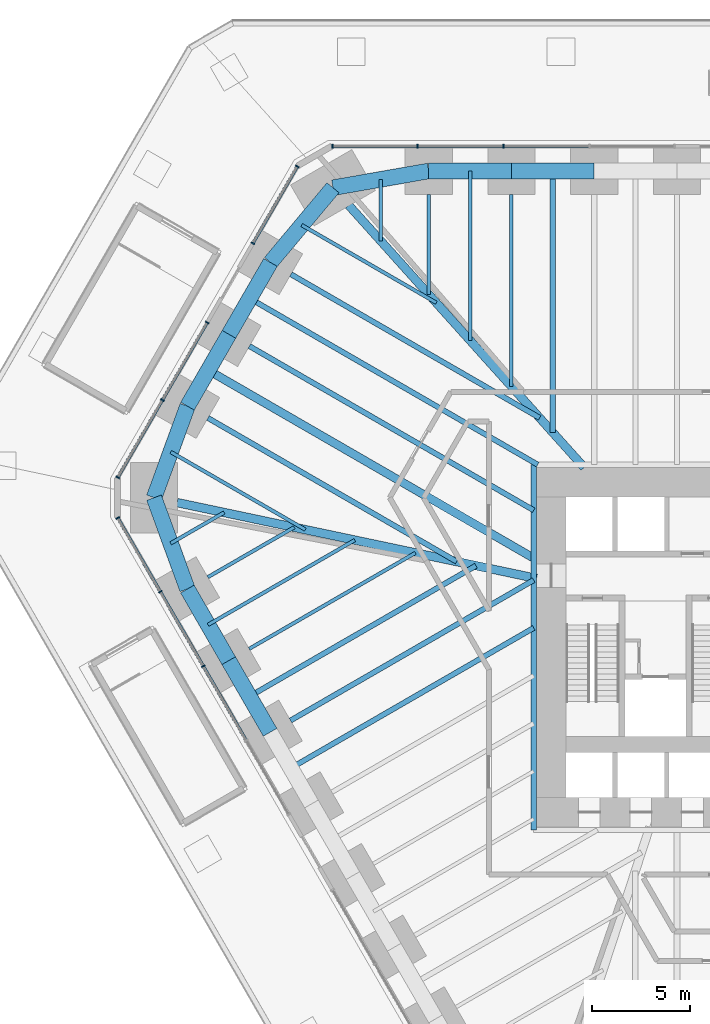
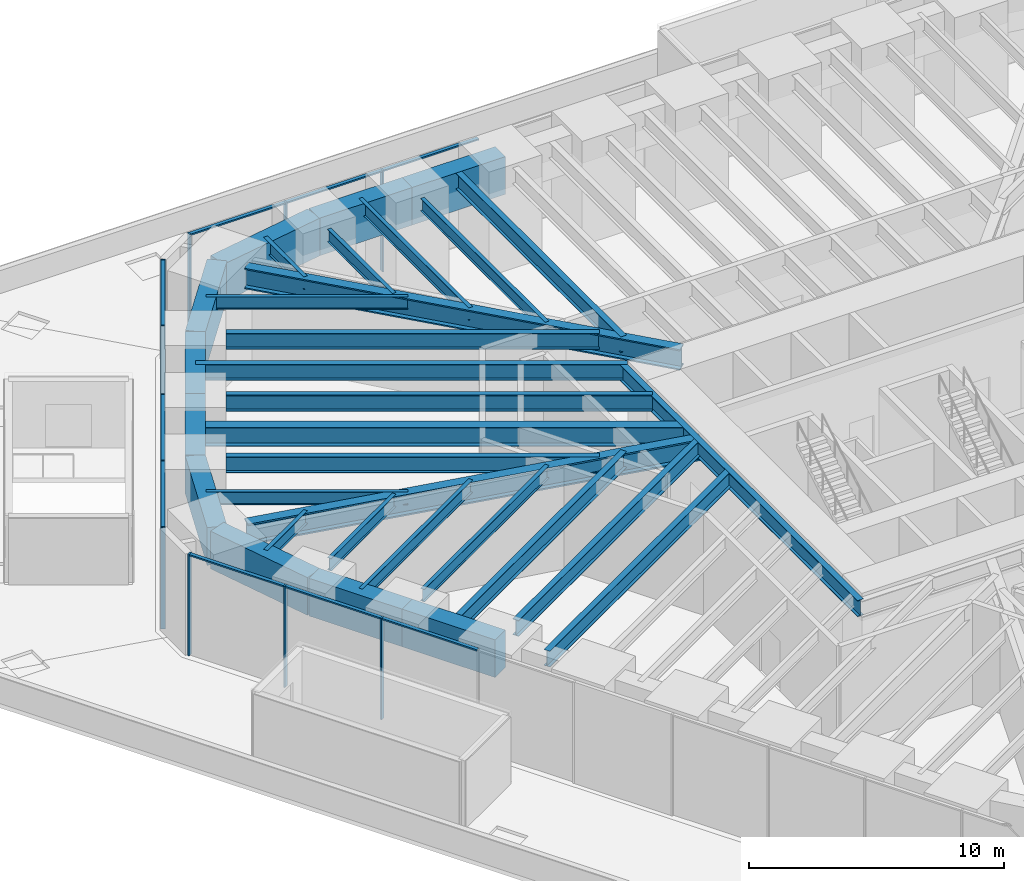
# One storey, part 5 of 20: 32 beams, 20 members, 4 elements without a shape of their own.
"""IFC4 building model written with IfcOpenShell, lengths in metres."""

from ifc_helpers import new_model, si_unit, direction, frame, origin, origin_2d, place, context, subcontext, project, spatial, rectangle, i_section, extrude, material, material_profile, profile_set, type_object, element, aggregate, save


model = new_model("IFC4")

# Units and contexts
model_context = context("Model", 3, precision=1e-05, world=origin(), true_north=direction((0.0, 1.0)))
body_context = subcontext(model_context, "Body", "Model", "MODEL_VIEW")
ifc_project = project(units=[si_unit("LENGTHUNIT", "METRE"), si_unit("AREAUNIT", "SQUARE_METRE"), si_unit("VOLUMEUNIT", "CUBIC_METRE"), si_unit("PLANEANGLEUNIT", "RADIAN"), si_unit("MASSUNIT", "GRAM", prefix="KILO")], contexts=[model_context])

# Site, building, storey
site_placement = place(None, origin())
site = spatial("IfcSite", under=ifc_project, at=site_placement, CompositionType="ELEMENT")
building_placement = place(site_placement, origin())
building = spatial("IfcBuilding", under=site, at=building_placement, Name="Sandreach Pilgrim Tower", CompositionType="ELEMENT")
storey_placement = place(building_placement, frame((0.0, 0.0, 18.0)))
storey = spatial("IfcBuildingStorey", under=building, at=storey_placement, Name="L03", CompositionType="ELEMENT", Elevation=18.0)

# Curtain wall, members
ifc_material_1 = material(Name="Aluminium framed curtain wall", Category="aluminium")
curtain_wall_type = type_object("IfcCurtainWallType", Name="Podium storefront curtain wall", PredefinedType="NOTDEFINED", material=ifc_material_1)
curtain_wall_1_placement = place(storey_placement, origin())
curtain_wall_1 = element("IfcCurtainWall", 1, at=curtain_wall_1_placement, inside=storey, type_object=curtain_wall_type, Name="CW-P L03 NA", PredefinedType="NOTDEFINED")
ifc_material_2 = material(Name="Aluminium extrusion", Category="aluminium")
ifc_material_profile_1 = material_profile(ifc_material_2, rectangle(XDim=0.070068359375, YDim=0.199951171875, at=origin_2d()), Name="CW-PM 70X200")
ifc_profile_set_1 = profile_set([ifc_material_profile_1], Name="Aluminium extrusion")
member_type_1 = type_object("IfcMemberType", Name="CW-P mullion", PredefinedType="MULLION", material=ifc_profile_set_1)
member_1_placement = place(storey_placement, frame((-19.63720703125, 23.94873046875, 0.0), z_axis=(0.0, 0.0, 1.0), x_axis=(1.0, 0.0, 0.0)))
member_1 = element("IfcMember", 2, at=member_1_placement, type_object=member_type_1, Name="CW-P mullion 1", PredefinedType="MULLION", context=body_context, shape_type="SweptSolid", body=[
    extrude(rectangle(XDim=0.070068359375, YDim=0.199951171875, at=origin_2d()), origin(), (0.0, 0.0, 1.0), 4.840087890625),
])
member_2_placement = place(storey_placement, frame((-15.300537109375, 23.94873046875, 0.0), z_axis=(0.0, 0.0, 1.0), x_axis=(1.0, 0.0, 0.0)))
member_2 = element("IfcMember", 3, at=member_2_placement, type_object=member_type_1, Name="CW-P mullion 2", PredefinedType="MULLION", context=body_context, shape_type="SweptSolid", body=[
    extrude(rectangle(XDim=0.070068359375, YDim=0.199951171875, at=origin_2d()), origin(), (0.0, 0.0, 1.0), 4.840087890625),
])
member_3_placement = place(storey_placement, frame((-10.928955078125, 23.94873046875, 0.0), z_axis=(0.0, 0.0, 1.0), x_axis=(1.0, 0.0, 0.0)))
member_3 = element("IfcMember", 4, at=member_3_placement, type_object=member_type_1, Name="CW-P mullion 3", PredefinedType="MULLION", context=body_context, shape_type="SweptSolid", body=[
    extrude(rectangle(XDim=0.070068359375, YDim=0.199951171875, at=origin_2d()), origin(), (0.0, 0.0, 1.0), 4.840087890625),
])

curtain_wall_2_placement = place(storey_placement, origin())
curtain_wall_2 = element("IfcCurtainWall", 5, at=curtain_wall_2_placement, inside=storey, type_object=curtain_wall_type, Name="CW-P L03 SWB", PredefinedType="NOTDEFINED")
member_4_placement = place(storey_placement, frame((-26.20458984375, -2.509521484375, 0.0), z_axis=(0.0, 0.0, 1.0), x_axis=(-0.5, 0.866025403784, 0.0)))
member_4 = element("IfcMember", 6, at=member_4_placement, type_object=member_type_1, Name="CW-P mullion 3", PredefinedType="MULLION", context=body_context, shape_type="SweptSolid", body=[
    extrude(rectangle(XDim=0.070068359375, YDim=0.199951171875, at=origin_2d()), origin(), (0.0, 0.0, 1.0), 4.840087890625),
])
member_5_placement = place(storey_placement, frame((-28.390380859375, 1.2763671875, 0.0), z_axis=(0.0, 0.0, 1.0), x_axis=(-0.5, 0.866025403784, 0.0)))
member_5 = element("IfcMember", 7, at=member_5_placement, type_object=member_type_1, Name="CW-P mullion 4", PredefinedType="MULLION", context=body_context, shape_type="SweptSolid", body=[
    extrude(rectangle(XDim=0.070068359375, YDim=0.199951171875, at=origin_2d()), origin(), (0.0, 0.0, 1.0), 4.840087890625),
])
member_6_placement = place(storey_placement, frame((-30.558837890625, 5.031982421875, 0.0), z_axis=(0.0, 0.0, 1.0), x_axis=(-0.5, 0.866025403784, 0.0)))
member_6 = element("IfcMember", 8, at=member_6_placement, type_object=member_type_1, Name="CW-P mullion 5", PredefinedType="MULLION", context=body_context, shape_type="SweptSolid", body=[
    extrude(rectangle(XDim=0.070068359375, YDim=0.199951171875, at=origin_2d()), origin(), (0.0, 0.0, 1.0), 4.840087890625),
])

curtain_wall_3_placement = place(storey_placement, origin())
curtain_wall_3 = element("IfcCurtainWall", 9, at=curtain_wall_3_placement, inside=storey, type_object=curtain_wall_type, Name="CW-P L03 NWA", PredefinedType="NOTDEFINED")
member_7_placement = place(storey_placement, frame((-30.558837890625, 7.092529296875, 0.0), z_axis=(0.0, 0.0, 1.0), x_axis=(0.5, 0.866025403784, 0.0)))
member_7 = element("IfcMember", 10, at=member_7_placement, type_object=member_type_1, Name="CW-P mullion 1", PredefinedType="MULLION", context=body_context, shape_type="SweptSolid", body=[
    extrude(rectangle(XDim=0.070068359375, YDim=0.199951171875, at=origin_2d()), origin(), (0.0, 0.0, 1.0), 4.840087890625),
])
member_8_placement = place(storey_placement, frame((-28.283203125, 11.03369140625, 0.0), z_axis=(0.0, 0.0, 1.0), x_axis=(0.5, 0.866025403784, 0.0)))
member_8 = element("IfcMember", 11, at=member_8_placement, type_object=member_type_1, Name="CW-P mullion 2", PredefinedType="MULLION", context=body_context, shape_type="SweptSolid", body=[
    extrude(rectangle(XDim=0.070068359375, YDim=0.199951171875, at=origin_2d()), origin(), (0.0, 0.0, 1.0), 4.840087890625),
])
member_9_placement = place(storey_placement, frame((-26.0078125, 14.97509765625, 0.0), z_axis=(0.0, 0.0, 1.0), x_axis=(0.5, 0.866025403784, 0.0)))
member_9 = element("IfcMember", 12, at=member_9_placement, type_object=member_type_1, Name="CW-P mullion 3", PredefinedType="MULLION", context=body_context, shape_type="SweptSolid", body=[
    extrude(rectangle(XDim=0.070068359375, YDim=0.199951171875, at=origin_2d()), origin(), (0.0, 0.0, 1.0), 4.840087890625),
])

curtain_wall_4_placement = place(storey_placement, origin())
curtain_wall_4 = element("IfcCurtainWall", 13, at=curtain_wall_4_placement, inside=storey, type_object=curtain_wall_type, Name="CW-P L03 NWB", PredefinedType="NOTDEFINED")
member_10_placement = place(storey_placement, frame((-23.6796875, 19.00732421875, 0.0), z_axis=(0.0, 0.0, 1.0), x_axis=(0.5, 0.866025403784, 0.0)))
member_10 = element("IfcMember", 14, at=member_10_placement, type_object=member_type_1, Name="CW-P mullion 1", PredefinedType="MULLION", context=body_context, shape_type="SweptSolid", body=[
    extrude(rectangle(XDim=0.070068359375, YDim=0.199951171875, at=origin_2d()), origin(), (0.0, 0.0, 1.0), 4.840087890625),
])
member_11_placement = place(storey_placement, frame((-21.421630859375, 22.91845703125, 0.0), z_axis=(0.0, 0.0, 1.0), x_axis=(0.5, 0.866025403784, 0.0)))
member_11 = element("IfcMember", 15, at=member_11_placement, type_object=member_type_1, Name="CW-P mullion 2", PredefinedType="MULLION", context=body_context, shape_type="SweptSolid", body=[
    extrude(rectangle(XDim=0.070068359375, YDim=0.199951171875, at=origin_2d()), origin(), (0.0, 0.0, 1.0), 4.840087890625),
])

# Member
ifc_material_3 = material(Name="Aluminium extrusion", Category="aluminium")
ifc_material_profile_2 = material_profile(ifc_material_3, rectangle(XDim=0.159912109375, YDim=0.070068359375, at=origin_2d()), Name="CW-PT 160X70")
ifc_profile_set_2 = profile_set([ifc_material_profile_2], Name="Aluminium extrusion")
member_type_2 = type_object("IfcMemberType", Name="CW-P transom", PredefinedType="USERDEFINED", material=ifc_profile_set_2)
member_12_placement = place(storey_placement, frame((-19.60205078125, 23.94873046875, 4.804931640625), z_axis=(1.0, 0.0, 0.0), x_axis=(0.0, 1.0, 0.0)))
member_12 = element("IfcMember", 16, at=member_12_placement, type_object=member_type_2, Name="CW-P head transom 1", ObjectType="TRANSOM", PredefinedType="USERDEFINED", context=body_context, shape_type="SweptSolid", body=[
    extrude(rectangle(XDim=0.159912109375, YDim=0.070068359375, at=origin_2d()), origin(), (0.0, 0.0, 1.0), 4.2666015625),
])

member_13_placement = place(storey_placement, frame((-15.265625, 23.94873046875, 4.804931640625), z_axis=(1.0, 0.0, 0.0), x_axis=(0.0, 1.0, 0.0)))
member_13 = element("IfcMember", 17, at=member_13_placement, type_object=member_type_2, Name="CW-P head transom 2", ObjectType="TRANSOM", PredefinedType="USERDEFINED", context=body_context, shape_type="SweptSolid", body=[
    extrude(rectangle(XDim=0.159912109375, YDim=0.070068359375, at=origin_2d()), origin(), (0.0, 0.0, 1.0), 4.3017578125),
])

member_14_placement = place(storey_placement, frame((-10.89404296875, 23.94873046875, 4.804931640625), z_axis=(1.0, 0.0, 0.0), x_axis=(0.0, 1.0, 0.0)))
member_14 = element("IfcMember", 18, at=member_14_placement, type_object=member_type_2, Name="CW-P head transom 3", ObjectType="TRANSOM", PredefinedType="USERDEFINED", context=body_context, shape_type="SweptSolid", body=[
    extrude(rectangle(XDim=0.159912109375, YDim=0.070068359375, at=origin_2d()), origin(), (0.0, 0.0, 1.0), 4.3017578125),
])

aggregate(curtain_wall_1, [member_1, member_2, member_3, member_12, member_13, member_14])

member_15_placement = place(storey_placement, frame((-24.036376953125, -6.26513671875, 4.804931640625), z_axis=(-0.500033611107, 0.866005997533, 0.0), x_axis=(-0.866005997533, -0.500033611107, 0.0)))
member_15 = element("IfcMember", 19, at=member_15_placement, type_object=member_type_2, Name="CW-P head transom 2", ObjectType="TRANSOM", PredefinedType="USERDEFINED", context=body_context, shape_type="SweptSolid", body=[
    extrude(rectangle(XDim=0.159912109375, YDim=0.070068359375, at=origin_2d()), origin(), (0.0, 0.0, 1.0), 4.301513671875),
])

member_16_placement = place(storey_placement, frame((-26.22216796875, -2.479248046875, 4.804931640625), z_axis=(-0.500033611107, 0.866005997533, 0.0), x_axis=(-0.866005997533, -0.500033611107, 0.0)))
member_16 = element("IfcMember", 20, at=member_16_placement, type_object=member_type_2, Name="CW-P head transom 3", ObjectType="TRANSOM", PredefinedType="USERDEFINED", context=body_context, shape_type="SweptSolid", body=[
    extrude(rectangle(XDim=0.159912109375, YDim=0.070068359375, at=origin_2d()), origin(), (0.0, 0.0, 1.0), 4.301513671875),
])

member_17_placement = place(storey_placement, frame((-28.407958984375, 1.306640625, 4.804931640625), z_axis=(-0.500016352561, 0.866015962423, 0.0), x_axis=(-0.866015962423, -0.500016352561, 0.0)))
member_17 = element("IfcMember", 21, at=member_17_placement, type_object=member_type_2, Name="CW-P head transom 4", ObjectType="TRANSOM", PredefinedType="USERDEFINED", context=body_context, shape_type="SweptSolid", body=[
    extrude(rectangle(XDim=0.159912109375, YDim=0.070068359375, at=origin_2d()), origin(), (0.0, 0.0, 1.0), 4.266357421875),
])

aggregate(curtain_wall_2, [member_4, member_5, member_6, member_15, member_16, member_17])

member_18_placement = place(storey_placement, frame((-30.541259765625, 7.122802734375, 4.804931640625), z_axis=(0.500000713928, 0.866024991597, 0.0), x_axis=(-0.866024991597, 0.500000713928, 0.0)))
member_18 = element("IfcMember", 22, at=member_18_placement, type_object=member_type_2, Name="CW-P head transom 1", ObjectType="TRANSOM", PredefinedType="USERDEFINED", context=body_context, shape_type="SweptSolid", body=[
    extrude(rectangle(XDim=0.159912109375, YDim=0.070068359375, at=origin_2d()), origin(), (0.0, 0.0, 1.0), 4.48095703125),
])

member_19_placement = place(storey_placement, frame((-28.265625, 11.064208984375, 4.804931640625), z_axis=(0.500000713928, 0.866024991597, 0.0), x_axis=(-0.866024991597, 0.500000713928, 0.0)))
member_19 = element("IfcMember", 23, at=member_19_placement, type_object=member_type_2, Name="CW-P head transom 2", ObjectType="TRANSOM", PredefinedType="USERDEFINED", context=body_context, shape_type="SweptSolid", body=[
    extrude(rectangle(XDim=0.159912109375, YDim=0.070068359375, at=origin_2d()), origin(), (0.0, 0.0, 1.0), 4.48095703125),
])

aggregate(curtain_wall_3, [member_7, member_8, member_9, member_18, member_19])

member_20_placement = place(storey_placement, frame((-23.662109375, 19.03759765625, 4.804931640625), z_axis=(0.499960116092, 0.866048429545, 0.0), x_axis=(-0.866048429545, 0.499960116092, 0.0)))
member_20 = element("IfcMember", 24, at=member_20_placement, type_object=member_type_2, Name="CW-P head transom 1", ObjectType="TRANSOM", PredefinedType="USERDEFINED", context=body_context, shape_type="SweptSolid", body=[
    extrude(rectangle(XDim=0.159912109375, YDim=0.070068359375, at=origin_2d()), origin(), (0.0, 0.0, 1.0), 4.446044921875),
])

aggregate(curtain_wall_4, [member_10, member_11, member_20])

# Beams
ifc_material_4 = material(Name="Steel ASTM A992 Grade 50", Category="steel")
ifc_material_profile_3 = material_profile(ifc_material_4, i_section(OverallWidth=0.2666015625, OverallDepth=0.77978515625, WebThickness=0.0166015625, FlangeThickness=0.030029296875, at=origin_2d()), Name="W30X148")
ifc_profile_set_3 = profile_set([ifc_material_profile_3], Name="Steel ASTM A992 Grade 50")
beam_type_1 = type_object("IfcBeamType", Name="Core edge beam W30X148", PredefinedType="BEAM", material=ifc_profile_set_3)
beam_1_placement = place(storey_placement, frame((-9.393310546875, -10.84326171875, 4.4501953125), z_axis=(0.0, 1.0, 0.0), x_axis=(-1.0, 0.0, 0.0)))
element("IfcBeam", 25, at=beam_1_placement, inside=storey, type_object=beam_type_1, Name="BM L03 CEW", PredefinedType="BEAM", context=body_context, shape_type="SweptSolid", body=[
    extrude(i_section(OverallWidth=0.2666015625, OverallDepth=0.77978515625, WebThickness=0.0166015625, FlangeThickness=0.030029296875, at=origin_2d()), origin(), (0.0, 0.0, 1.0), 18.586669921875),
])
ifc_material_5 = material(Name="Steel ASTM A992 Grade 50", Category="steel")
ifc_material_profile_4 = material_profile(ifc_material_5, i_section(OverallWidth=0.431884765625, OverallDepth=0.988037109375, WebThickness=0.034423828125, FlangeThickness=0.06201171875, at=origin_2d()), Name="W36X441")
ifc_profile_set_4 = profile_set([ifc_material_profile_4], Name="Steel ASTM A992 Grade 50")
beam_type_2 = type_object("IfcBeamType", Name="Corner girder W36X441", PredefinedType="BEAM", material=ifc_profile_set_4)
beam_2_placement = place(storey_placement, frame((-18.8046875, 20.94189453125, 4.345947265625), z_axis=(0.668127834846, -0.74404650144, 0.0), x_axis=(0.74404650144, 0.668127834846, 0.0)))
element("IfcBeam", 26, at=beam_2_placement, inside=storey, type_object=beam_type_2, Name="BM L03 CG39", PredefinedType="BEAM", context=body_context, shape_type="SweptSolid", body=[
    extrude(i_section(OverallWidth=0.431884765625, OverallDepth=0.988037109375, WebThickness=0.034423828125, FlangeThickness=0.06201171875, at=origin_2d()), origin(), (0.0, 0.0, 1.0), 17.931396484375),
])
ifc_material_6 = material(Name="Steel ASTM A992 Grade 50", Category="steel")
ifc_material_profile_5 = material_profile(ifc_material_6, i_section(OverallWidth=0.436767578125, OverallDepth=1.010986328125, WebThickness=0.040771484375, FlangeThickness=0.073974609375, at=origin_2d()), Name="W36X529")
ifc_profile_set_5 = profile_set([ifc_material_profile_5], Name="Steel ASTM A992 Grade 50")
beam_type_3 = type_object("IfcBeamType", Name="Corner girder W36X529", PredefinedType="BEAM", material=ifc_profile_set_5)
beam_3_placement = place(storey_placement, frame((-27.53857421875, 5.814208984375, 4.33447265625), z_axis=(0.978429884383, -0.206579189045, 0.0), x_axis=(0.206579189045, 0.978429884383, 0.0)))
element("IfcBeam", 27, at=beam_3_placement, inside=storey, type_object=beam_type_3, Name="BM L03 CG35", PredefinedType="BEAM", context=body_context, shape_type="SweptSolid", body=[
    extrude(i_section(OverallWidth=0.436767578125, OverallDepth=1.010986328125, WebThickness=0.040771484375, FlangeThickness=0.073974609375, at=origin_2d()), origin(), (0.0, 0.0, 1.0), 18.691650390625),
])
ifc_material_7 = material(Name="Steel ASTM A992 Grade 50", Category="steel")
ifc_material_profile_6 = material_profile(ifc_material_7, i_section(OverallWidth=0.1787109375, OverallDepth=0.60205078125, WebThickness=0.010986328125, FlangeThickness=0.014892578125, at=origin_2d()), Name="W24X62")
ifc_profile_set_6 = profile_set([ifc_material_profile_6], Name="Steel ASTM A992 Grade 50")
beam_type_4 = type_object("IfcBeamType", Name="Floor beam W24X62", PredefinedType="BEAM", material=ifc_profile_set_6)
beam_4_placement = place(storey_placement, frame((-14.734619140625, 21.48876953125, 4.5390625), z_axis=(0.0, -1.0, 0.0), x_axis=(1.0, 0.0, 0.0)))
element("IfcBeam", 28, at=beam_4_placement, inside=storey, type_object=beam_type_4, Name="BM L03 F01", PredefinedType="BEAM", context=body_context, shape_type="SweptSolid", body=[
    extrude(i_section(OverallWidth=0.1787109375, OverallDepth=0.60205078125, WebThickness=0.010986328125, FlangeThickness=0.014892578125, at=origin_2d()), origin(), (0.0, 0.0, 1.0), 5.079345703125),
])
beam_5_placement = place(storey_placement, frame((-10.52490234375, 21.48876953125, 4.5390625), z_axis=(0.0, -1.0, 0.0), x_axis=(1.0, 0.0, 0.0)))
element("IfcBeam", 29, at=beam_5_placement, inside=storey, type_object=beam_type_4, Name="BM L03 F02", PredefinedType="BEAM", context=body_context, shape_type="SweptSolid", body=[
    extrude(i_section(OverallWidth=0.1787109375, OverallDepth=0.60205078125, WebThickness=0.010986328125, FlangeThickness=0.014892578125, at=origin_2d()), origin(), (0.0, 0.0, 1.0), 9.767822265625),
])
beam_6_placement = place(storey_placement, frame((-23.8720703125, -1.629638671875, 4.5390625), z_axis=(0.866025751498, 0.499999397742, 0.0), x_axis=(-0.499999397742, 0.866025751498, 0.0)))
element("IfcBeam", 30, at=beam_6_placement, inside=storey, type_object=beam_type_4, Name="BM L03 F33", PredefinedType="BEAM", context=body_context, shape_type="SweptSolid", body=[
    extrude(i_section(OverallWidth=0.1787109375, OverallDepth=0.60205078125, WebThickness=0.010986328125, FlangeThickness=0.014892578125, at=origin_2d()), origin(), (0.0, 0.0, 1.0), 9.767578125),
])
beam_7_placement = place(storey_placement, frame((-25.97705078125, 2.016357421875, 4.5390625), z_axis=(0.866027897259, 0.49999568115, 0.0), x_axis=(-0.49999568115, 0.866027897259, 0.0)))
element("IfcBeam", 31, at=beam_7_placement, inside=storey, type_object=beam_type_4, Name="BM L03 F34", PredefinedType="BEAM", context=body_context, shape_type="SweptSolid", body=[
    extrude(i_section(OverallWidth=0.1787109375, OverallDepth=0.60205078125, WebThickness=0.010986328125, FlangeThickness=0.014892578125, at=origin_2d()), origin(), (0.0, 0.0, 1.0), 5.0791015625),
])
beam_8_placement = place(storey_placement, frame((-12.629638671875, 22.688720703125, 4.5390625), z_axis=(0.0, -1.0, 0.0), x_axis=(1.0, 0.0, 0.0)))
element("IfcBeam", 32, at=beam_8_placement, inside=storey, type_object=beam_type_4, Name="BM L03 FM01", PredefinedType="BEAM", context=body_context, shape_type="SweptSolid", body=[
    extrude(i_section(OverallWidth=0.1787109375, OverallDepth=0.60205078125, WebThickness=0.010986328125, FlangeThickness=0.014892578125, at=origin_2d()), origin(), (0.0, 0.0, 1.0), 8.62353515625),
])
beam_9_placement = place(storey_placement, frame((-25.9638671875, -0.40673828125, 4.5390625), z_axis=(0.866020100198, 0.500009185969, 0.0), x_axis=(-0.500009185969, 0.866020100198, 0.0)))
element("IfcBeam", 33, at=beam_9_placement, inside=storey, type_object=beam_type_4, Name="BM L03 FM33", PredefinedType="BEAM", context=body_context, shape_type="SweptSolid", body=[
    extrude(i_section(OverallWidth=0.1787109375, OverallDepth=0.60205078125, WebThickness=0.010986328125, FlangeThickness=0.014892578125, at=origin_2d()), origin(), (0.0, 0.0, 1.0), 8.623291015625),
])
beam_10_placement = place(storey_placement, frame((-27.864501953125, 3.7392578125, 4.5390625), z_axis=(0.866023718453, 0.500002919068, 0.0), x_axis=(-0.500002919068, 0.866023718453, 0.0)))
element("IfcBeam", 34, at=beam_10_placement, inside=storey, type_object=beam_type_4, Name="BM L03 FM34", PredefinedType="BEAM", context=body_context, shape_type="SweptSolid", body=[
    extrude(i_section(OverallWidth=0.1787109375, OverallDepth=0.60205078125, WebThickness=0.010986328125, FlangeThickness=0.014892578125, at=origin_2d()), origin(), (0.0, 0.0, 1.0), 3.1396484375),
])
for number, where, z_axis, x_axis, name in (
    (35, (-27.861328125, 8.390380859375, 4.5390625), (0.866028778003, -0.499994155636, 0.0), (0.499994155636, 0.866028778003, 0.0), "BM L03 FM35"),
    (36, (-21.197021484375, 19.933349609375, 4.5390625), (0.866028778003, -0.499994155636, 0.0), (0.499994155636, 0.866028778003, 0.0), "BM L03 FM38"),
):
    element("IfcBeam", number, at=place(storey_placement, frame(where, z_axis=z_axis, x_axis=x_axis)), inside=storey, type_object=beam_type_4, Name=name, PredefinedType="BEAM", context=body_context, shape_type="SweptSolid", body=[
        extrude(i_section(OverallWidth=0.1787109375, OverallDepth=0.60205078125, WebThickness=0.010986328125, FlangeThickness=0.014892578125, at=origin_2d()), origin(), (0.0, 0.0, 1.0), 7.90771484375),
    ])
beam_11_placement = place(storey_placement, frame((-17.17041015625, 22.26171875, 4.5390625), z_axis=(0.0, -1.0, 0.0), x_axis=(1.0, 0.0, 0.0)))
element("IfcBeam", 37, at=beam_11_placement, inside=storey, type_object=beam_type_4, Name="BM L03 FM39", PredefinedType="BEAM", context=body_context, shape_type="SweptSolid", body=[
    extrude(i_section(OverallWidth=0.1787109375, OverallDepth=0.60205078125, WebThickness=0.010986328125, FlangeThickness=0.014892578125, at=origin_2d()), origin(), (0.0, 0.0, 1.0), 3.1396484375),
])
ifc_material_8 = material(Name="Steel ASTM A992 Grade 50", Category="steel")
ifc_material_profile_7 = material_profile(ifc_material_8, i_section(OverallWidth=0.2666015625, OverallDepth=0.761962890625, WebThickness=0.014404296875, FlangeThickness=0.021484375, at=origin_2d()), Name="W30X116")
ifc_profile_set_7 = profile_set([ifc_material_profile_7], Name="Steel ASTM A992 Grade 50")
beam_type_5 = type_object("IfcBeamType", Name="Floor beam W30X116", PredefinedType="BEAM", material=ifc_profile_set_7)
beam_12_placement = place(storey_placement, frame((-21.76708984375, -5.275390625, 4.458984375), z_axis=(0.866024247282, 0.500002003116, 0.0), x_axis=(-0.500002003116, 0.866024247282, 0.0)))
element("IfcBeam", 38, at=beam_12_placement, inside=storey, type_object=beam_type_5, Name="BM L03 F32", PredefinedType="BEAM", context=body_context, shape_type="SweptSolid", body=[
    extrude(i_section(OverallWidth=0.2666015625, OverallDepth=0.761962890625, WebThickness=0.014404296875, FlangeThickness=0.021484375, at=origin_2d()), origin(), (0.0, 0.0, 1.0), 14.2880859375),
])
for number, where, z_axis, x_axis, name in (
    (39, (-25.970947265625, 10.118896484375, 4.458984375), (0.866020355572, -0.500008743658, 0.0), (0.500008743658, 0.866020355572, 0.0), "BM L03 F36"),
    (40, (-21.74853515625, 17.43212890625, 4.458984375), (0.866020355572, -0.500008743658, 0.0), (0.500008743658, 0.866020355572, 0.0), "BM L03 F38"),
):
    element("IfcBeam", number, at=place(storey_placement, frame(where, z_axis=z_axis, x_axis=x_axis)), inside=storey, type_object=beam_type_5, Name=name, PredefinedType="BEAM", context=body_context, shape_type="SweptSolid", body=[
        extrude(i_section(OverallWidth=0.2666015625, OverallDepth=0.761962890625, WebThickness=0.014404296875, FlangeThickness=0.021484375, at=origin_2d()), origin(), (0.0, 0.0, 1.0), 14.615966796875),
    ])
beam_13_placement = place(storey_placement, frame((-8.419921875, 22.688720703125, 4.458984375), z_axis=(0.0, -1.0, 0.0), x_axis=(1.0, 0.0, 0.0)))
element("IfcBeam", 41, at=beam_13_placement, inside=storey, type_object=beam_type_5, Name="BM L03 FM02", PredefinedType="BEAM", context=body_context, shape_type="SweptSolid", body=[
    extrude(i_section(OverallWidth=0.2666015625, OverallDepth=0.761962890625, WebThickness=0.014404296875, FlangeThickness=0.021484375, at=origin_2d()), origin(), (0.0, 0.0, 1.0), 13.311767578125),
])
beam_14_placement = place(storey_placement, frame((-21.75390625, -7.698486328125, 4.458984375), z_axis=(0.866022935671, 0.500004274874, 0.0), x_axis=(-0.500004274874, 0.866022935671, 0.0)))
element("IfcBeam", 42, at=beam_14_placement, inside=storey, type_object=beam_type_5, Name="BM L03 FM31", PredefinedType="BEAM", context=body_context, shape_type="SweptSolid", body=[
    extrude(i_section(OverallWidth=0.2666015625, OverallDepth=0.761962890625, WebThickness=0.014404296875, FlangeThickness=0.021484375, at=origin_2d()), origin(), (0.0, 0.0, 1.0), 14.27294921875),
])
beam_15_placement = place(storey_placement, frame((-23.85888671875, -4.052490234375, 4.458984375), z_axis=(0.866029213426, 0.499993401449, 0.0), x_axis=(-0.499993401449, 0.866029213426, 0.0)))
element("IfcBeam", 43, at=beam_15_placement, inside=storey, type_object=beam_type_5, Name="BM L03 FM32", PredefinedType="BEAM", context=body_context, shape_type="SweptSolid", body=[
    extrude(i_section(OverallWidth=0.2666015625, OverallDepth=0.761962890625, WebThickness=0.014404296875, FlangeThickness=0.021484375, at=origin_2d()), origin(), (0.0, 0.0, 1.0), 13.311767578125),
])
ifc_material_9 = material(Name="Steel ASTM A992 Grade 50", Category="steel")
ifc_material_profile_8 = material_profile(ifc_material_9, i_section(OverallWidth=0.2666015625, OverallDepth=0.77978515625, WebThickness=0.0166015625, FlangeThickness=0.030029296875, at=origin_2d()), Name="W30X148")
ifc_profile_set_8 = profile_set([ifc_material_profile_8], Name="Steel ASTM A992 Grade 50")
beam_type_6 = type_object("IfcBeamType", Name="Floor beam W30X148", PredefinedType="BEAM", material=ifc_profile_set_8)
beam_16_placement = place(storey_placement, frame((-23.85986328125, 13.775390625, 4.4501953125), z_axis=(0.866031037473, -0.499990242038, 0.0), x_axis=(0.499990242038, 0.866031037473, 0.0)))
element("IfcBeam", 44, at=beam_16_placement, inside=storey, type_object=beam_type_6, Name="BM L03 F37", PredefinedType="BEAM", context=body_context, shape_type="SweptSolid", body=[
    extrude(i_section(OverallWidth=0.2666015625, OverallDepth=0.77978515625, WebThickness=0.0166015625, FlangeThickness=0.030029296875, at=origin_2d()), origin(), (0.0, 0.0, 1.0), 16.704345703125),
])
beam_17_placement = place(storey_placement, frame((-23.843505859375, 16.203857421875, 4.4501953125), z_axis=(0.866027248123, -0.499996805499, 0.0), x_axis=(0.499996805499, 0.866027248123, 0.0)))
element("IfcBeam", 45, at=beam_17_placement, inside=storey, type_object=beam_type_6, Name="BM L03 FM37", PredefinedType="BEAM", context=body_context, shape_type="SweptSolid", body=[
    extrude(i_section(OverallWidth=0.2666015625, OverallDepth=0.77978515625, WebThickness=0.0166015625, FlangeThickness=0.030029296875, at=origin_2d()), origin(), (0.0, 0.0, 1.0), 16.9208984375),
])
ifc_material_10 = material(Name="Steel ASTM A992 Grade 50", Category="steel")
ifc_material_profile_9 = material_profile(ifc_material_10, i_section(OverallWidth=0.419189453125, OverallDepth=0.927001953125, WebThickness=0.019287109375, FlangeThickness=0.031982421875, at=origin_2d()), Name="W36X231")
ifc_profile_set_9 = profile_set([ifc_material_profile_9], Name="Steel ASTM A992 Grade 50")
beam_type_7 = type_object("IfcBeamType", Name="Floor beam W36X231", PredefinedType="BEAM", material=ifc_profile_set_9)
beam_18_placement = place(storey_placement, frame((-25.95458984375, 12.547119140625, 4.37646484375), z_axis=(0.866028474707, -0.499994680968, 0.0), x_axis=(0.499994680968, 0.866028474707, 0.0)))
element("IfcBeam", 46, at=beam_18_placement, inside=storey, type_object=beam_type_7, Name="BM L03 FM36", PredefinedType="BEAM", context=body_context, shape_type="SweptSolid", body=[
    extrude(i_section(OverallWidth=0.419189453125, OverallDepth=0.927001953125, WebThickness=0.019287109375, FlangeThickness=0.031982421875, at=origin_2d()), origin(), (0.0, 0.0, 1.0), 19.123291015625),
])
ifc_material_11 = material(Name="Concrete 10000 psi", Category="concrete")
ifc_material_profile_10 = material_profile(ifc_material_11, rectangle(XDim=0.800048828125, YDim=1.800048828125, at=origin_2d()), Name="RC800X1800")
ifc_profile_set_10 = profile_set([ifc_material_profile_10], Name="Concrete 10000 psi")
beam_type_8 = type_object("IfcBeamType", Name="Spandrel beam RC800X1800", PredefinedType="SPANDREL", material=ifc_profile_set_10)
beam_19_placement = place(storey_placement, frame((-14.734619140625, 22.688720703125, 3.93994140625), z_axis=(1.0, 0.0, 0.0), x_axis=(0.0, 1.0, 0.0)))
element("IfcBeam", 47, at=beam_19_placement, inside=storey, type_object=beam_type_8, Name="BM L03 SP01", PredefinedType="SPANDREL", context=body_context, shape_type="SweptSolid", body=[
    extrude(rectangle(XDim=0.800048828125, YDim=1.800048828125, at=origin_2d()), origin(), (0.0, 0.0, 1.0), 4.209716796875),
])
beam_20_placement = place(storey_placement, frame((-10.52490234375, 22.688720703125, 3.93994140625), z_axis=(1.0, 0.0, 0.0), x_axis=(0.0, 1.0, 0.0)))
element("IfcBeam", 48, at=beam_20_placement, inside=storey, type_object=beam_type_8, Name="BM L03 SP02", PredefinedType="SPANDREL", context=body_context, shape_type="SweptSolid", body=[
    extrude(rectangle(XDim=0.800048828125, YDim=1.800048828125, at=origin_2d()), origin(), (0.0, 0.0, 1.0), 4.2099609375),
])
beam_21_placement = place(storey_placement, frame((-22.806396484375, -5.87548828125, 3.93994140625), z_axis=(-0.50001863446, 0.866014644907, 0.0), x_axis=(-0.866014644907, -0.50001863446, 0.0)))
element("IfcBeam", 49, at=beam_21_placement, inside=storey, type_object=beam_type_8, Name="BM L03 SP32", PredefinedType="SPANDREL", context=body_context, shape_type="SweptSolid", body=[
    extrude(rectangle(XDim=0.800048828125, YDim=1.800048828125, at=origin_2d()), origin(), (0.0, 0.0, 1.0), 4.209716796875),
])
beam_22_placement = place(storey_placement, frame((-24.911376953125, -2.229736328125, 3.93994140625), z_axis=(-0.499993523031, 0.866029143232, 0.0), x_axis=(-0.866029143232, -0.499993523031, 0.0)))
element("IfcBeam", 50, at=beam_22_placement, inside=storey, type_object=beam_type_8, Name="BM L03 SP33", PredefinedType="SPANDREL", context=body_context, shape_type="SweptSolid", body=[
    extrude(rectangle(XDim=0.800048828125, YDim=1.800048828125, at=origin_2d()), origin(), (0.0, 0.0, 1.0), 4.2099609375),
])
beam_23_placement = place(storey_placement, frame((-27.016357421875, 1.416259765625, 3.93994140625), z_axis=(-0.342963480301, 0.939348737786, 0.0), x_axis=(-0.939348737786, -0.342963480301, 0.0)))
element("IfcBeam", 51, at=beam_23_placement, inside=storey, type_object=beam_type_8, Name="BM L03 SP34", PredefinedType="SPANDREL", context=body_context, shape_type="SweptSolid", body=[
    extrude(rectangle(XDim=0.800048828125, YDim=1.800048828125, at=origin_2d()), origin(), (0.0, 0.0, 1.0), 4.946044921875),
])
beam_24_placement = place(storey_placement, frame((-28.712646484375, 6.062255859375, 3.93994140625), z_axis=(0.343367552823, 0.939201109278, 0.0), x_axis=(-0.939201109278, 0.343367552823, 0.0)))
element("IfcBeam", 52, at=beam_24_placement, inside=storey, type_object=beam_type_8, Name="BM L03 SP35", PredefinedType="SPANDREL", context=body_context, shape_type="SweptSolid", body=[
    extrude(rectangle(XDim=0.800048828125, YDim=1.800048828125, at=origin_2d()), origin(), (0.0, 0.0, 1.0), 4.9580078125),
])
beam_25_placement = place(storey_placement, frame((-27.01025390625, 10.71875, 3.93994140625), z_axis=(0.500019412692, 0.866014195571, 0.0), x_axis=(-0.866014195571, 0.500019412692, 0.0)))
element("IfcBeam", 53, at=beam_25_placement, inside=storey, type_object=beam_type_8, Name="BM L03 SP36", PredefinedType="SPANDREL", context=body_context, shape_type="SweptSolid", body=[
    extrude(rectangle(XDim=0.800048828125, YDim=1.800048828125, at=origin_2d()), origin(), (0.0, 0.0, 1.0), 4.222412109375),
])
beam_26_placement = place(storey_placement, frame((-24.89892578125, 14.37548828125, 3.93994140625), z_axis=(0.500001084989, 0.866024777365, 0.0), x_axis=(-0.866024777365, 0.500001084989, 0.0)))
element("IfcBeam", 54, at=beam_26_placement, inside=storey, type_object=beam_type_8, Name="BM L03 SP37", PredefinedType="SPANDREL", context=body_context, shape_type="SweptSolid", body=[
    extrude(rectangle(XDim=0.800048828125, YDim=1.800048828125, at=origin_2d()), origin(), (0.0, 0.0, 1.0), 4.22216796875),
])
beam_27_placement = place(storey_placement, frame((-22.787841796875, 18.031982421875, 3.93994140625), z_axis=(0.641665295114, 0.766984777584, 0.0), x_axis=(-0.766984777584, 0.641665295114, 0.0)))
element("IfcBeam", 55, at=beam_27_placement, inside=storey, type_object=beam_type_8, Name="BM L03 SP38", PredefinedType="SPANDREL", context=body_context, shape_type="SweptSolid", body=[
    extrude(rectangle(XDim=0.800048828125, YDim=1.800048828125, at=origin_2d()), origin(), (0.0, 0.0, 1.0), 4.9580078125),
])
beam_28_placement = place(storey_placement, frame((-19.6064453125, 21.834716796875, 3.93994140625), z_axis=(0.984981186582, 0.172661698355, 0.0), x_axis=(-0.172661698355, 0.984981186582, 0.0)))
element("IfcBeam", 56, at=beam_28_placement, inside=storey, type_object=beam_type_8, Name="BM L03 SP39", PredefinedType="SPANDREL", context=body_context, shape_type="SweptSolid", body=[
    extrude(rectangle(XDim=0.800048828125, YDim=1.800048828125, at=origin_2d()), origin(), (0.0, 0.0, 1.0), 4.946044921875),
])

save(model, "model.ifc")
